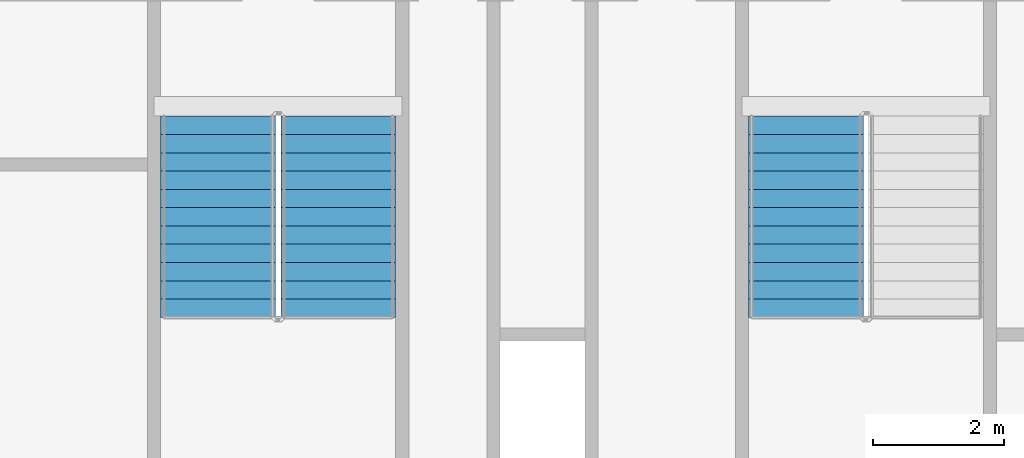
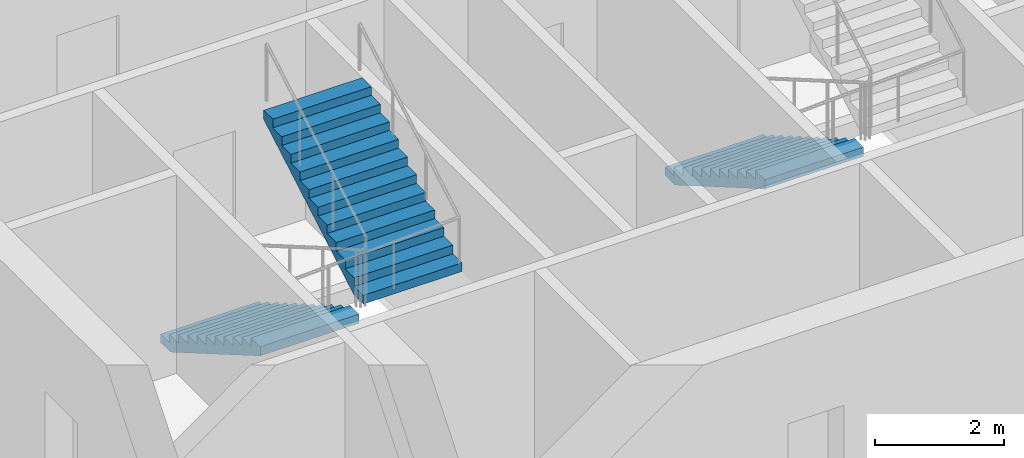
# One storey, part 8 of 15: 3 stair flights, 2 elements without a shape of their own.
"""IFC4 building model written with IfcOpenShell, lengths in metres."""

from ifc_helpers import new_model, si_unit, direction, frame, origin, place, context, subcontext, project, spatial, faceted_brep, material, type_object, element, aggregate, save


model = new_model("IFC4")

# Units and contexts
model_context = context("Model", 3, precision=1e-05, world=origin(), true_north=direction((0.0, 1.0)))
body_context = subcontext(model_context, "Body", "Model", "MODEL_VIEW")
ifc_project = project(units=[si_unit("LENGTHUNIT", "METRE"), si_unit("AREAUNIT", "SQUARE_METRE"), si_unit("VOLUMEUNIT", "CUBIC_METRE"), si_unit("PLANEANGLEUNIT", "RADIAN"), si_unit("MASSUNIT", "GRAM", prefix="KILO")], contexts=[model_context])

# Site, building, storey
site_placement = place(None, origin())
site = spatial("IfcSite", under=ifc_project, at=site_placement, CompositionType="ELEMENT")
building_placement = place(site_placement, origin())
building = spatial("IfcBuilding", under=site, at=building_placement, Name="Tarsis Ring Headquarters", CompositionType="ELEMENT")
storey_placement = place(building_placement, frame((0.0, 0.0, 290.300048828125)))
storey = spatial("IfcBuildingStorey", under=building, at=storey_placement, Name="L68", CompositionType="ELEMENT", Elevation=290.300048828125)

# Stair, stair flights
ifc_material_1 = material(Name="Core stair 1760")
stair_type = type_object("IfcStairType", Name="Core stair 1760", PredefinedType="HALF_TURN_STAIR", material=ifc_material_1)
stair_1_placement = place(storey_placement, origin())
stair_1 = element("IfcStair", 1, at=stair_1_placement, inside=storey, type_object=stair_type, Name="L68 Exit stair C", PredefinedType="HALF_TURN_STAIR")
ifc_material_2 = material(Name="Concrete C40/50", Category="concrete")
stair_flight_type = type_object("IfcStairFlightType", Name="Core stair flight 1760", PredefinedType="STRAIGHT", material=ifc_material_2)
stair_flight_1_placement = place(storey_placement, frame((-5.419921875, -3.659912109375, 0.0), z_axis=(0.0, 0.0, 1.0), x_axis=(0.0, -1.0, 0.0)))
stair_flight_1 = element("IfcStairFlight", 2, at=stair_flight_1_placement, type_object=stair_flight_type, Name="Stair ST3 flight 1", NumberOfRisers=12, NumberOfTreads=11, PredefinedType="STRAIGHT", RiserHeight=0.1625, TreadLength=0.28, context=body_context, shape_type="Brep", body=[
    faceted_brep([(0.0, 0.8798828125, 0.0), (0.0, 0.8798828125, 0.16259765625), (0.280029296875, 0.8798828125, 0.16259765625), (0.280029296875, 0.8798828125, 0.324951171875), (0.56005859375, 0.8798828125, 0.324951171875), (0.56005859375, 0.8798828125, 0.487548828125), (0.840087890625, 0.8798828125, 0.487548828125), (0.840087890625, 0.8798828125, 0.64990234375), (1.1201171875, 0.8798828125, 0.64990234375), (1.1201171875, 0.8798828125, 0.8125), (1.39990234375, 0.8798828125, 0.8125), (1.39990234375, 0.8798828125, 0.97509765625), (1.679931640625, 0.8798828125, 0.97509765625), (1.679931640625, 0.8798828125, 1.137451171875), (1.9599609375, 0.8798828125, 1.137451171875), (1.9599609375, 0.8798828125, 1.300048828125), (2.239990234375, 0.8798828125, 1.300048828125), (2.239990234375, 0.8798828125, 1.46240234375), (2.52001953125, 0.8798828125, 1.46240234375), (2.52001953125, 0.8798828125, 1.625), (2.800048828125, 0.8798828125, 1.625), (2.800048828125, 0.8798828125, 1.78759765625), (3.080078125, 0.8798828125, 1.78759765625), (3.080078125, 0.8798828125, 1.6142578125), (0.298583984375, 0.8798828125, 0.0), (0.298583984375, -0.8798828125, 0.0), (3.080078125, -0.8798828125, 1.6142578125), (3.080078125, -0.8798828125, 1.78759765625), (2.800048828125, -0.8798828125, 1.78759765625), (2.800048828125, -0.8798828125, 1.625), (2.52001953125, -0.8798828125, 1.625), (2.52001953125, -0.8798828125, 1.46240234375), (2.239990234375, -0.8798828125, 1.46240234375), (2.239990234375, -0.8798828125, 1.300048828125), (1.9599609375, -0.8798828125, 1.300048828125), (1.9599609375, -0.8798828125, 1.137451171875), (1.679931640625, -0.8798828125, 1.137451171875), (1.679931640625, -0.8798828125, 0.97509765625), (1.39990234375, -0.8798828125, 0.97509765625), (1.39990234375, -0.8798828125, 0.8125), (1.1201171875, -0.8798828125, 0.8125), (1.1201171875, -0.8798828125, 0.64990234375), (0.840087890625, -0.8798828125, 0.64990234375), (0.840087890625, -0.8798828125, 0.487548828125), (0.56005859375, -0.8798828125, 0.487548828125), (0.56005859375, -0.8798828125, 0.324951171875), (0.280029296875, -0.8798828125, 0.324951171875), (0.280029296875, -0.8798828125, 0.16259765625), (0.0, -0.8798828125, 0.16259765625), (0.0, -0.8798828125, 0.0), (0.0, -0.43994140625, 0.16259765625), (0.0, -0.43994140625, 0.0), (0.0, 0.0, 0.16259765625), (0.0, 0.0, 0.0), (0.0, 0.43994140625, 0.16259765625), (0.0, 0.43994140625, 0.0), (0.280029296875, -0.43994140625, 0.16259765625), (0.280029296875, 0.0, 0.16259765625), (0.280029296875, 0.43994140625, 0.16259765625), (0.280029296875, -0.43994140625, 0.324951171875), (0.280029296875, 0.0, 0.324951171875), (0.280029296875, 0.43994140625, 0.324951171875), (0.56005859375, -0.43994140625, 0.324951171875), (0.56005859375, 0.0, 0.324951171875), (0.56005859375, 0.43994140625, 0.324951171875), (0.56005859375, -0.43994140625, 0.487548828125), (0.56005859375, 0.0, 0.487548828125), (0.56005859375, 0.43994140625, 0.487548828125), (0.840087890625, -0.43994140625, 0.487548828125), (0.840087890625, 0.0, 0.487548828125), (0.840087890625, 0.43994140625, 0.487548828125), (0.840087890625, -0.43994140625, 0.64990234375), (0.840087890625, 0.0, 0.64990234375), (0.840087890625, 0.43994140625, 0.64990234375), (1.1201171875, -0.43994140625, 0.64990234375), (1.1201171875, 0.0, 0.64990234375), (1.1201171875, 0.43994140625, 0.64990234375), (1.1201171875, -0.43994140625, 0.8125), (1.1201171875, 0.0, 0.8125), (1.1201171875, 0.43994140625, 0.8125), (1.39990234375, -0.43994140625, 0.8125), (1.39990234375, 0.0, 0.8125), (1.39990234375, 0.43994140625, 0.8125), (1.39990234375, -0.43994140625, 0.97509765625), (1.39990234375, 0.0, 0.97509765625), (1.39990234375, 0.43994140625, 0.97509765625), (1.679931640625, -0.43994140625, 0.97509765625), (1.679931640625, 0.0, 0.97509765625), (1.679931640625, 0.43994140625, 0.97509765625), (1.679931640625, -0.43994140625, 1.137451171875), (1.679931640625, 0.0, 1.137451171875), (1.679931640625, 0.43994140625, 1.137451171875), (1.9599609375, -0.43994140625, 1.137451171875), (1.9599609375, 0.0, 1.137451171875), (1.9599609375, 0.43994140625, 1.137451171875), (1.9599609375, -0.43994140625, 1.300048828125), (1.9599609375, 0.0, 1.300048828125), (1.9599609375, 0.43994140625, 1.300048828125), (2.239990234375, -0.43994140625, 1.300048828125), (2.239990234375, 0.0, 1.300048828125), (2.239990234375, 0.43994140625, 1.300048828125), (2.239990234375, -0.43994140625, 1.46240234375), (2.239990234375, 0.0, 1.46240234375), (2.239990234375, 0.43994140625, 1.46240234375), (2.52001953125, -0.43994140625, 1.46240234375), (2.52001953125, 0.0, 1.46240234375), (2.52001953125, 0.43994140625, 1.46240234375), (2.52001953125, -0.43994140625, 1.625), (2.52001953125, 0.0, 1.625), (2.52001953125, 0.43994140625, 1.625), (2.800048828125, -0.43994140625, 1.625), (2.800048828125, 0.0, 1.625), (2.800048828125, 0.43994140625, 1.625), (2.800048828125, -0.43994140625, 1.78759765625), (2.800048828125, 0.0, 1.78759765625), (2.800048828125, 0.43994140625, 1.78759765625), (3.080078125, -0.43994140625, 1.78759765625), (3.080078125, 0.0, 1.78759765625), (3.080078125, 0.43994140625, 1.78759765625), (3.080078125, -0.43994140625, 1.6142578125), (3.080078125, 0.0, 1.6142578125), (3.080078125, 0.43994140625, 1.6142578125), (0.298583984375, -0.43994140625, 0.0), (0.298583984375, 0.0, 0.0), (0.298583984375, 0.43994140625, 0.0)], [[[0, 1, 2, 3, 4, 5, 6, 7, 8, 9, 10, 11, 12, 13, 14, 15, 16, 17, 18, 19, 20, 21, 22, 23, 24]], [[25, 26, 27, 28, 29, 30, 31, 32, 33, 34, 35, 36, 37, 38, 39, 40, 41, 42, 43, 44, 45, 46, 47, 48, 49]], [[49, 48, 50, 51]], [[51, 50, 52, 53]], [[53, 52, 54, 55]], [[55, 54, 1, 0]], [[48, 47, 56, 50]], [[50, 56, 57, 52]], [[52, 57, 58, 54]], [[54, 58, 2, 1]], [[47, 46, 59, 56]], [[56, 59, 60, 57]], [[57, 60, 61, 58]], [[58, 61, 3, 2]], [[46, 45, 62, 59]], [[59, 62, 63, 60]], [[60, 63, 64, 61]], [[61, 64, 4, 3]], [[45, 44, 65, 62]], [[62, 65, 66, 63]], [[63, 66, 67, 64]], [[64, 67, 5, 4]], [[44, 43, 68, 65]], [[65, 68, 69, 66]], [[66, 69, 70, 67]], [[67, 70, 6, 5]], [[43, 42, 71, 68]], [[68, 71, 72, 69]], [[69, 72, 73, 70]], [[70, 73, 7, 6]], [[42, 41, 74, 71]], [[71, 74, 75, 72]], [[72, 75, 76, 73]], [[73, 76, 8, 7]], [[41, 40, 77, 74]], [[74, 77, 78, 75]], [[75, 78, 79, 76]], [[76, 79, 9, 8]], [[40, 39, 80, 77]], [[77, 80, 81, 78]], [[78, 81, 82, 79]], [[79, 82, 10, 9]], [[39, 38, 83, 80]], [[80, 83, 84, 81]], [[81, 84, 85, 82]], [[82, 85, 11, 10]], [[38, 37, 86, 83]], [[83, 86, 87, 84]], [[84, 87, 88, 85]], [[85, 88, 12, 11]], [[37, 36, 89, 86]], [[86, 89, 90, 87]], [[87, 90, 91, 88]], [[88, 91, 13, 12]], [[36, 35, 92, 89]], [[89, 92, 93, 90]], [[90, 93, 94, 91]], [[91, 94, 14, 13]], [[35, 34, 95, 92]], [[92, 95, 96, 93]], [[93, 96, 97, 94]], [[94, 97, 15, 14]], [[34, 33, 98, 95]], [[95, 98, 99, 96]], [[96, 99, 100, 97]], [[97, 100, 16, 15]], [[33, 32, 101, 98]], [[98, 101, 102, 99]], [[99, 102, 103, 100]], [[100, 103, 17, 16]], [[32, 31, 104, 101]], [[101, 104, 105, 102]], [[102, 105, 106, 103]], [[103, 106, 18, 17]], [[31, 30, 107, 104]], [[104, 107, 108, 105]], [[105, 108, 109, 106]], [[106, 109, 19, 18]], [[30, 29, 110, 107]], [[107, 110, 111, 108]], [[108, 111, 112, 109]], [[109, 112, 20, 19]], [[29, 28, 113, 110]], [[110, 113, 114, 111]], [[111, 114, 115, 112]], [[112, 115, 21, 20]], [[28, 27, 116, 113]], [[113, 116, 117, 114]], [[114, 117, 118, 115]], [[115, 118, 22, 21]], [[27, 26, 119, 116]], [[116, 119, 120, 117]], [[117, 120, 121, 118]], [[118, 121, 23, 22]], [[26, 25, 122, 119]], [[119, 122, 123, 120]], [[120, 123, 124, 121]], [[121, 124, 24, 23]], [[25, 49, 51, 122]], [[122, 51, 53, 123]], [[123, 53, 55, 124]], [[124, 55, 0, 24]]]),
])
stair_flight_2_placement = place(storey_placement, frame((-3.580078125, -6.739990234375, 1.949951171875), z_axis=(0.0, 0.0, 1.0), x_axis=(0.0, 1.0, 0.0)))
stair_flight_2 = element("IfcStairFlight", 3, at=stair_flight_2_placement, type_object=stair_flight_type, Name="Stair ST3 flight 2", NumberOfRisers=12, NumberOfTreads=11, PredefinedType="STRAIGHT", RiserHeight=0.1625, TreadLength=0.28, context=body_context, shape_type="Brep", body=[
    faceted_brep([(0.0, 0.8798828125, 0.0), (0.0, 0.8798828125, 0.16259765625), (0.280029296875, 0.8798828125, 0.16259765625), (0.280029296875, 0.8798828125, 0.324951171875), (0.56005859375, 0.8798828125, 0.324951171875), (0.56005859375, 0.8798828125, 0.487548828125), (0.840087890625, 0.8798828125, 0.487548828125), (0.840087890625, 0.8798828125, 0.64990234375), (1.1201171875, 0.8798828125, 0.64990234375), (1.1201171875, 0.8798828125, 0.8125), (1.39990234375, 0.8798828125, 0.8125), (1.39990234375, 0.8798828125, 0.97509765625), (1.679931640625, 0.8798828125, 0.97509765625), (1.679931640625, 0.8798828125, 1.137451171875), (1.9599609375, 0.8798828125, 1.137451171875), (1.9599609375, 0.8798828125, 1.300048828125), (2.239990234375, 0.8798828125, 1.300048828125), (2.239990234375, 0.8798828125, 1.46240234375), (2.52001953125, 0.8798828125, 1.46240234375), (2.52001953125, 0.8798828125, 1.625), (2.800048828125, 0.8798828125, 1.625), (2.800048828125, 0.8798828125, 1.78759765625), (3.080078125, 0.8798828125, 1.78759765625), (3.080078125, 0.8798828125, 1.6142578125), (0.298583984375, 0.8798828125, 0.0), (0.298583984375, -0.8798828125, 0.0), (3.080078125, -0.8798828125, 1.6142578125), (3.080078125, -0.8798828125, 1.78759765625), (2.800048828125, -0.8798828125, 1.78759765625), (2.800048828125, -0.8798828125, 1.625), (2.52001953125, -0.8798828125, 1.625), (2.52001953125, -0.8798828125, 1.46240234375), (2.239990234375, -0.8798828125, 1.46240234375), (2.239990234375, -0.8798828125, 1.300048828125), (1.9599609375, -0.8798828125, 1.300048828125), (1.9599609375, -0.8798828125, 1.137451171875), (1.679931640625, -0.8798828125, 1.137451171875), (1.679931640625, -0.8798828125, 0.97509765625), (1.39990234375, -0.8798828125, 0.97509765625), (1.39990234375, -0.8798828125, 0.8125), (1.1201171875, -0.8798828125, 0.8125), (1.1201171875, -0.8798828125, 0.64990234375), (0.840087890625, -0.8798828125, 0.64990234375), (0.840087890625, -0.8798828125, 0.487548828125), (0.56005859375, -0.8798828125, 0.487548828125), (0.56005859375, -0.8798828125, 0.324951171875), (0.280029296875, -0.8798828125, 0.324951171875), (0.280029296875, -0.8798828125, 0.16259765625), (0.0, -0.8798828125, 0.16259765625), (0.0, -0.8798828125, 0.0), (0.0, -0.43994140625, 0.16259765625), (0.0, -0.43994140625, 0.0), (0.0, 0.0, 0.16259765625), (0.0, 0.0, 0.0), (0.0, 0.43994140625, 0.16259765625), (0.0, 0.43994140625, 0.0), (0.280029296875, -0.43994140625, 0.16259765625), (0.280029296875, 0.0, 0.16259765625), (0.280029296875, 0.43994140625, 0.16259765625), (0.280029296875, -0.43994140625, 0.324951171875), (0.280029296875, 0.0, 0.324951171875), (0.280029296875, 0.43994140625, 0.324951171875), (0.56005859375, -0.43994140625, 0.324951171875), (0.56005859375, 0.0, 0.324951171875), (0.56005859375, 0.43994140625, 0.324951171875), (0.56005859375, -0.43994140625, 0.487548828125), (0.56005859375, 0.0, 0.487548828125), (0.56005859375, 0.43994140625, 0.487548828125), (0.840087890625, -0.43994140625, 0.487548828125), (0.840087890625, 0.0, 0.487548828125), (0.840087890625, 0.43994140625, 0.487548828125), (0.840087890625, -0.43994140625, 0.64990234375), (0.840087890625, 0.0, 0.64990234375), (0.840087890625, 0.43994140625, 0.64990234375), (1.1201171875, -0.43994140625, 0.64990234375), (1.1201171875, 0.0, 0.64990234375), (1.1201171875, 0.43994140625, 0.64990234375), (1.1201171875, -0.43994140625, 0.8125), (1.1201171875, 0.0, 0.8125), (1.1201171875, 0.43994140625, 0.8125), (1.39990234375, -0.43994140625, 0.8125), (1.39990234375, 0.0, 0.8125), (1.39990234375, 0.43994140625, 0.8125), (1.39990234375, -0.43994140625, 0.97509765625), (1.39990234375, 0.0, 0.97509765625), (1.39990234375, 0.43994140625, 0.97509765625), (1.679931640625, -0.43994140625, 0.97509765625), (1.679931640625, 0.0, 0.97509765625), (1.679931640625, 0.43994140625, 0.97509765625), (1.679931640625, -0.43994140625, 1.137451171875), (1.679931640625, 0.0, 1.137451171875), (1.679931640625, 0.43994140625, 1.137451171875), (1.9599609375, -0.43994140625, 1.137451171875), (1.9599609375, 0.0, 1.137451171875), (1.9599609375, 0.43994140625, 1.137451171875), (1.9599609375, -0.43994140625, 1.300048828125), (1.9599609375, 0.0, 1.300048828125), (1.9599609375, 0.43994140625, 1.300048828125), (2.239990234375, -0.43994140625, 1.300048828125), (2.239990234375, 0.0, 1.300048828125), (2.239990234375, 0.43994140625, 1.300048828125), (2.239990234375, -0.43994140625, 1.46240234375), (2.239990234375, 0.0, 1.46240234375), (2.239990234375, 0.43994140625, 1.46240234375), (2.52001953125, -0.43994140625, 1.46240234375), (2.52001953125, 0.0, 1.46240234375), (2.52001953125, 0.43994140625, 1.46240234375), (2.52001953125, -0.43994140625, 1.625), (2.52001953125, 0.0, 1.625), (2.52001953125, 0.43994140625, 1.625), (2.800048828125, -0.43994140625, 1.625), (2.800048828125, 0.0, 1.625), (2.800048828125, 0.43994140625, 1.625), (2.800048828125, -0.43994140625, 1.78759765625), (2.800048828125, 0.0, 1.78759765625), (2.800048828125, 0.43994140625, 1.78759765625), (3.080078125, -0.43994140625, 1.78759765625), (3.080078125, 0.0, 1.78759765625), (3.080078125, 0.43994140625, 1.78759765625), (3.080078125, -0.43994140625, 1.6142578125), (3.080078125, 0.0, 1.6142578125), (3.080078125, 0.43994140625, 1.6142578125), (0.298583984375, -0.43994140625, 0.0), (0.298583984375, 0.0, 0.0), (0.298583984375, 0.43994140625, 0.0)], [[[0, 1, 2, 3, 4, 5, 6, 7, 8, 9, 10, 11, 12, 13, 14, 15, 16, 17, 18, 19, 20, 21, 22, 23, 24]], [[25, 26, 27, 28, 29, 30, 31, 32, 33, 34, 35, 36, 37, 38, 39, 40, 41, 42, 43, 44, 45, 46, 47, 48, 49]], [[49, 48, 50, 51]], [[51, 50, 52, 53]], [[53, 52, 54, 55]], [[55, 54, 1, 0]], [[48, 47, 56, 50]], [[50, 56, 57, 52]], [[52, 57, 58, 54]], [[54, 58, 2, 1]], [[47, 46, 59, 56]], [[56, 59, 60, 57]], [[57, 60, 61, 58]], [[58, 61, 3, 2]], [[46, 45, 62, 59]], [[59, 62, 63, 60]], [[60, 63, 64, 61]], [[61, 64, 4, 3]], [[45, 44, 65, 62]], [[62, 65, 66, 63]], [[63, 66, 67, 64]], [[64, 67, 5, 4]], [[44, 43, 68, 65]], [[65, 68, 69, 66]], [[66, 69, 70, 67]], [[67, 70, 6, 5]], [[43, 42, 71, 68]], [[68, 71, 72, 69]], [[69, 72, 73, 70]], [[70, 73, 7, 6]], [[42, 41, 74, 71]], [[71, 74, 75, 72]], [[72, 75, 76, 73]], [[73, 76, 8, 7]], [[41, 40, 77, 74]], [[74, 77, 78, 75]], [[75, 78, 79, 76]], [[76, 79, 9, 8]], [[40, 39, 80, 77]], [[77, 80, 81, 78]], [[78, 81, 82, 79]], [[79, 82, 10, 9]], [[39, 38, 83, 80]], [[80, 83, 84, 81]], [[81, 84, 85, 82]], [[82, 85, 11, 10]], [[38, 37, 86, 83]], [[83, 86, 87, 84]], [[84, 87, 88, 85]], [[85, 88, 12, 11]], [[37, 36, 89, 86]], [[86, 89, 90, 87]], [[87, 90, 91, 88]], [[88, 91, 13, 12]], [[36, 35, 92, 89]], [[89, 92, 93, 90]], [[90, 93, 94, 91]], [[91, 94, 14, 13]], [[35, 34, 95, 92]], [[92, 95, 96, 93]], [[93, 96, 97, 94]], [[94, 97, 15, 14]], [[34, 33, 98, 95]], [[95, 98, 99, 96]], [[96, 99, 100, 97]], [[97, 100, 16, 15]], [[33, 32, 101, 98]], [[98, 101, 102, 99]], [[99, 102, 103, 100]], [[100, 103, 17, 16]], [[32, 31, 104, 101]], [[101, 104, 105, 102]], [[102, 105, 106, 103]], [[103, 106, 18, 17]], [[31, 30, 107, 104]], [[104, 107, 108, 105]], [[105, 108, 109, 106]], [[106, 109, 19, 18]], [[30, 29, 110, 107]], [[107, 110, 111, 108]], [[108, 111, 112, 109]], [[109, 112, 20, 19]], [[29, 28, 113, 110]], [[110, 113, 114, 111]], [[111, 114, 115, 112]], [[112, 115, 21, 20]], [[28, 27, 116, 113]], [[113, 116, 117, 114]], [[114, 117, 118, 115]], [[115, 118, 22, 21]], [[27, 26, 119, 116]], [[116, 119, 120, 117]], [[117, 120, 121, 118]], [[118, 121, 23, 22]], [[26, 25, 122, 119]], [[119, 122, 123, 120]], [[120, 123, 124, 121]], [[121, 124, 24, 23]], [[25, 49, 51, 122]], [[122, 51, 53, 123]], [[123, 53, 55, 124]], [[124, 55, 0, 24]]]),
])
aggregate(stair_1, [stair_flight_1, stair_flight_2])

# Stair, stair flight
stair_2_placement = place(storey_placement, origin())
stair_2 = element("IfcStair", 4, at=stair_2_placement, inside=storey, type_object=stair_type, Name="L68 Exit stair D", PredefinedType="HALF_TURN_STAIR")
stair_flight_3_placement = place(storey_placement, frame((3.580078125, -3.659912109375, 0.0), z_axis=(0.0, 0.0, 1.0), x_axis=(0.0, -1.0, 0.0)))
stair_flight_3 = element("IfcStairFlight", 5, at=stair_flight_3_placement, type_object=stair_flight_type, Name="Stair ST4 flight 1", NumberOfRisers=12, NumberOfTreads=11, PredefinedType="STRAIGHT", RiserHeight=0.1625, TreadLength=0.28, context=body_context, shape_type="Brep", body=[
    faceted_brep([(0.0, 0.8798828125, 0.0), (0.0, 0.8798828125, 0.16259765625), (0.280029296875, 0.8798828125, 0.16259765625), (0.280029296875, 0.8798828125, 0.324951171875), (0.56005859375, 0.8798828125, 0.324951171875), (0.56005859375, 0.8798828125, 0.487548828125), (0.840087890625, 0.8798828125, 0.487548828125), (0.840087890625, 0.8798828125, 0.64990234375), (1.1201171875, 0.8798828125, 0.64990234375), (1.1201171875, 0.8798828125, 0.8125), (1.39990234375, 0.8798828125, 0.8125), (1.39990234375, 0.8798828125, 0.97509765625), (1.679931640625, 0.8798828125, 0.97509765625), (1.679931640625, 0.8798828125, 1.137451171875), (1.9599609375, 0.8798828125, 1.137451171875), (1.9599609375, 0.8798828125, 1.300048828125), (2.239990234375, 0.8798828125, 1.300048828125), (2.239990234375, 0.8798828125, 1.46240234375), (2.52001953125, 0.8798828125, 1.46240234375), (2.52001953125, 0.8798828125, 1.625), (2.800048828125, 0.8798828125, 1.625), (2.800048828125, 0.8798828125, 1.78759765625), (3.080078125, 0.8798828125, 1.78759765625), (3.080078125, 0.8798828125, 1.6142578125), (0.298583984375, 0.8798828125, 0.0), (0.298583984375, -0.8798828125, 0.0), (3.080078125, -0.8798828125, 1.6142578125), (3.080078125, -0.8798828125, 1.78759765625), (2.800048828125, -0.8798828125, 1.78759765625), (2.800048828125, -0.8798828125, 1.625), (2.52001953125, -0.8798828125, 1.625), (2.52001953125, -0.8798828125, 1.46240234375), (2.239990234375, -0.8798828125, 1.46240234375), (2.239990234375, -0.8798828125, 1.300048828125), (1.9599609375, -0.8798828125, 1.300048828125), (1.9599609375, -0.8798828125, 1.137451171875), (1.679931640625, -0.8798828125, 1.137451171875), (1.679931640625, -0.8798828125, 0.97509765625), (1.39990234375, -0.8798828125, 0.97509765625), (1.39990234375, -0.8798828125, 0.8125), (1.1201171875, -0.8798828125, 0.8125), (1.1201171875, -0.8798828125, 0.64990234375), (0.840087890625, -0.8798828125, 0.64990234375), (0.840087890625, -0.8798828125, 0.487548828125), (0.56005859375, -0.8798828125, 0.487548828125), (0.56005859375, -0.8798828125, 0.324951171875), (0.280029296875, -0.8798828125, 0.324951171875), (0.280029296875, -0.8798828125, 0.16259765625), (0.0, -0.8798828125, 0.16259765625), (0.0, -0.8798828125, 0.0), (0.0, -0.43994140625, 0.16259765625), (0.0, -0.43994140625, 0.0), (0.0, 0.0, 0.16259765625), (0.0, 0.0, 0.0), (0.0, 0.43994140625, 0.16259765625), (0.0, 0.43994140625, 0.0), (0.280029296875, -0.43994140625, 0.16259765625), (0.280029296875, 0.0, 0.16259765625), (0.280029296875, 0.43994140625, 0.16259765625), (0.280029296875, -0.43994140625, 0.324951171875), (0.280029296875, 0.0, 0.324951171875), (0.280029296875, 0.43994140625, 0.324951171875), (0.56005859375, -0.43994140625, 0.324951171875), (0.56005859375, 0.0, 0.324951171875), (0.56005859375, 0.43994140625, 0.324951171875), (0.56005859375, -0.43994140625, 0.487548828125), (0.56005859375, 0.0, 0.487548828125), (0.56005859375, 0.43994140625, 0.487548828125), (0.840087890625, -0.43994140625, 0.487548828125), (0.840087890625, 0.0, 0.487548828125), (0.840087890625, 0.43994140625, 0.487548828125), (0.840087890625, -0.43994140625, 0.64990234375), (0.840087890625, 0.0, 0.64990234375), (0.840087890625, 0.43994140625, 0.64990234375), (1.1201171875, -0.43994140625, 0.64990234375), (1.1201171875, 0.0, 0.64990234375), (1.1201171875, 0.43994140625, 0.64990234375), (1.1201171875, -0.43994140625, 0.8125), (1.1201171875, 0.0, 0.8125), (1.1201171875, 0.43994140625, 0.8125), (1.39990234375, -0.43994140625, 0.8125), (1.39990234375, 0.0, 0.8125), (1.39990234375, 0.43994140625, 0.8125), (1.39990234375, -0.43994140625, 0.97509765625), (1.39990234375, 0.0, 0.97509765625), (1.39990234375, 0.43994140625, 0.97509765625), (1.679931640625, -0.43994140625, 0.97509765625), (1.679931640625, 0.0, 0.97509765625), (1.679931640625, 0.43994140625, 0.97509765625), (1.679931640625, -0.43994140625, 1.137451171875), (1.679931640625, 0.0, 1.137451171875), (1.679931640625, 0.43994140625, 1.137451171875), (1.9599609375, -0.43994140625, 1.137451171875), (1.9599609375, 0.0, 1.137451171875), (1.9599609375, 0.43994140625, 1.137451171875), (1.9599609375, -0.43994140625, 1.300048828125), (1.9599609375, 0.0, 1.300048828125), (1.9599609375, 0.43994140625, 1.300048828125), (2.239990234375, -0.43994140625, 1.300048828125), (2.239990234375, 0.0, 1.300048828125), (2.239990234375, 0.43994140625, 1.300048828125), (2.239990234375, -0.43994140625, 1.46240234375), (2.239990234375, 0.0, 1.46240234375), (2.239990234375, 0.43994140625, 1.46240234375), (2.52001953125, -0.43994140625, 1.46240234375), (2.52001953125, 0.0, 1.46240234375), (2.52001953125, 0.43994140625, 1.46240234375), (2.52001953125, -0.43994140625, 1.625), (2.52001953125, 0.0, 1.625), (2.52001953125, 0.43994140625, 1.625), (2.800048828125, -0.43994140625, 1.625), (2.800048828125, 0.0, 1.625), (2.800048828125, 0.43994140625, 1.625), (2.800048828125, -0.43994140625, 1.78759765625), (2.800048828125, 0.0, 1.78759765625), (2.800048828125, 0.43994140625, 1.78759765625), (3.080078125, -0.43994140625, 1.78759765625), (3.080078125, 0.0, 1.78759765625), (3.080078125, 0.43994140625, 1.78759765625), (3.080078125, -0.43994140625, 1.6142578125), (3.080078125, 0.0, 1.6142578125), (3.080078125, 0.43994140625, 1.6142578125), (0.298583984375, -0.43994140625, 0.0), (0.298583984375, 0.0, 0.0), (0.298583984375, 0.43994140625, 0.0)], [[[0, 1, 2, 3, 4, 5, 6, 7, 8, 9, 10, 11, 12, 13, 14, 15, 16, 17, 18, 19, 20, 21, 22, 23, 24]], [[25, 26, 27, 28, 29, 30, 31, 32, 33, 34, 35, 36, 37, 38, 39, 40, 41, 42, 43, 44, 45, 46, 47, 48, 49]], [[49, 48, 50, 51]], [[51, 50, 52, 53]], [[53, 52, 54, 55]], [[55, 54, 1, 0]], [[48, 47, 56, 50]], [[50, 56, 57, 52]], [[52, 57, 58, 54]], [[54, 58, 2, 1]], [[47, 46, 59, 56]], [[56, 59, 60, 57]], [[57, 60, 61, 58]], [[58, 61, 3, 2]], [[46, 45, 62, 59]], [[59, 62, 63, 60]], [[60, 63, 64, 61]], [[61, 64, 4, 3]], [[45, 44, 65, 62]], [[62, 65, 66, 63]], [[63, 66, 67, 64]], [[64, 67, 5, 4]], [[44, 43, 68, 65]], [[65, 68, 69, 66]], [[66, 69, 70, 67]], [[67, 70, 6, 5]], [[43, 42, 71, 68]], [[68, 71, 72, 69]], [[69, 72, 73, 70]], [[70, 73, 7, 6]], [[42, 41, 74, 71]], [[71, 74, 75, 72]], [[72, 75, 76, 73]], [[73, 76, 8, 7]], [[41, 40, 77, 74]], [[74, 77, 78, 75]], [[75, 78, 79, 76]], [[76, 79, 9, 8]], [[40, 39, 80, 77]], [[77, 80, 81, 78]], [[78, 81, 82, 79]], [[79, 82, 10, 9]], [[39, 38, 83, 80]], [[80, 83, 84, 81]], [[81, 84, 85, 82]], [[82, 85, 11, 10]], [[38, 37, 86, 83]], [[83, 86, 87, 84]], [[84, 87, 88, 85]], [[85, 88, 12, 11]], [[37, 36, 89, 86]], [[86, 89, 90, 87]], [[87, 90, 91, 88]], [[88, 91, 13, 12]], [[36, 35, 92, 89]], [[89, 92, 93, 90]], [[90, 93, 94, 91]], [[91, 94, 14, 13]], [[35, 34, 95, 92]], [[92, 95, 96, 93]], [[93, 96, 97, 94]], [[94, 97, 15, 14]], [[34, 33, 98, 95]], [[95, 98, 99, 96]], [[96, 99, 100, 97]], [[97, 100, 16, 15]], [[33, 32, 101, 98]], [[98, 101, 102, 99]], [[99, 102, 103, 100]], [[100, 103, 17, 16]], [[32, 31, 104, 101]], [[101, 104, 105, 102]], [[102, 105, 106, 103]], [[103, 106, 18, 17]], [[31, 30, 107, 104]], [[104, 107, 108, 105]], [[105, 108, 109, 106]], [[106, 109, 19, 18]], [[30, 29, 110, 107]], [[107, 110, 111, 108]], [[108, 111, 112, 109]], [[109, 112, 20, 19]], [[29, 28, 113, 110]], [[110, 113, 114, 111]], [[111, 114, 115, 112]], [[112, 115, 21, 20]], [[28, 27, 116, 113]], [[113, 116, 117, 114]], [[114, 117, 118, 115]], [[115, 118, 22, 21]], [[27, 26, 119, 116]], [[116, 119, 120, 117]], [[117, 120, 121, 118]], [[118, 121, 23, 22]], [[26, 25, 122, 119]], [[119, 122, 123, 120]], [[120, 123, 124, 121]], [[121, 124, 24, 23]], [[25, 49, 51, 122]], [[122, 51, 53, 123]], [[123, 53, 55, 124]], [[124, 55, 0, 24]]]),
])
aggregate(stair_2, [stair_flight_3])

save(model, "model.ifc")
